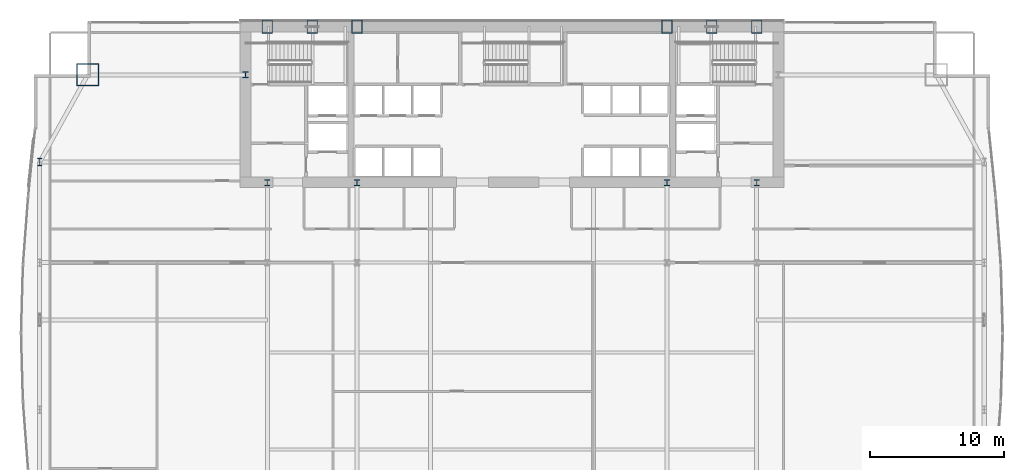
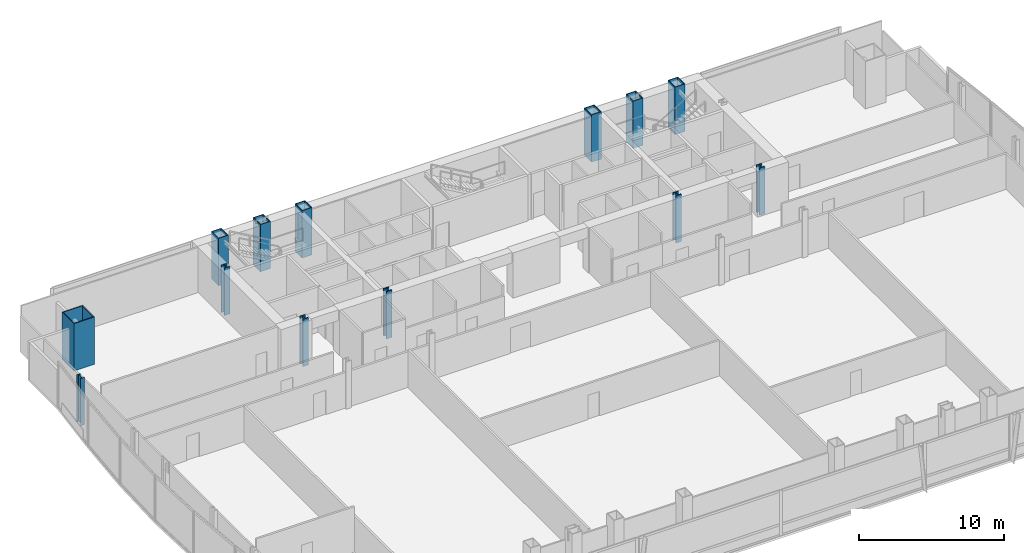
# One storey, part 3 of 33: 13 columns.
"""IFC4 building model written with IfcOpenShell, lengths in metres."""

from ifc_helpers import new_model, si_unit, direction, frame, origin, origin_2d, place, context, subcontext, project, spatial, hollow_rectangle, i_section, extrude, material, material_profile, profile_set, type_object, element, save


model = new_model("IFC4")

# Units and contexts
model_context = context("Model", 3, precision=1e-05, world=origin(), true_north=direction((0.0, 1.0)))
body_context = subcontext(model_context, "Body", "Model", "MODEL_VIEW")
ifc_project = project(units=[si_unit("LENGTHUNIT", "METRE"), si_unit("AREAUNIT", "SQUARE_METRE"), si_unit("VOLUMEUNIT", "CUBIC_METRE"), si_unit("PLANEANGLEUNIT", "RADIAN"), si_unit("MASSUNIT", "GRAM", prefix="KILO")], contexts=[model_context])

# Site, building, storey
site_placement = place(None, origin())
site = spatial("IfcSite", under=ifc_project, at=site_placement, CompositionType="ELEMENT")
building_placement = place(site_placement, origin())
building = spatial("IfcBuilding", under=site, at=building_placement, Name="Khoronbel Lancet Exchange", CompositionType="ELEMENT")
storey_placement = place(building_placement, frame((0.0, 0.0, 33.800048828125)))
storey = spatial("IfcBuildingStorey", under=building, at=storey_placement, Name="L07", CompositionType="ELEMENT", Elevation=33.800048828125)

# Columns
ifc_material_1 = material(Name="Steel S460", Category="steel")
ifc_material_profile_1 = material_profile(ifc_material_1, hollow_rectangle(XDim=0.800048828125, YDim=1.0, WallThickness=0.054931640625, at=origin_2d()), Name="BOX 1000x800x55")
ifc_profile_set_1 = profile_set([ifc_material_profile_1], Name="Steel S460")
column_type_1 = type_object("IfcColumnType", Name="COL-EC1", PredefinedType="COLUMN", material=ifc_profile_set_1)
for number, where, z_axis, x_axis, name in (
    (1, (18.22509765625, 53.280029296875, 0.0), (0.0, 0.0, 1.0), (1.0, 0.0, 0.0), "Structural column NC-W1 L07"),
    (2, (21.5625, 53.280029296875, 0.0), (0.0, 0.0, 1.0), (1.0, 0.0, 0.0), "Structural column NC-WM L07"),
    (3, (24.89990234375, 53.280029296875, 0.0), (0.0, 0.0, 1.0), (1.0, 0.0, 0.0), "Structural column NC-W2 L07"),
    (4, (48.0, 53.280029296875, 0.0), (0.0, 0.0, 1.0), (1.0, 0.0, 0.0), "Structural column NC-E1 L07"),
    (5, (51.33740234375, 53.280029296875, 0.0), (0.0, 0.0, 1.0), (1.0, 0.0, 0.0), "Structural column NC-EM L07"),
    (6, (54.675048828125, 53.280029296875, 0.0), (0.0, 0.0, 1.0), (1.0, 0.0, 0.0), "Structural column NC-E2 L07"),
):
    element("IfcColumn", number, at=place(storey_placement, frame(where, z_axis=z_axis, x_axis=x_axis)), inside=storey, type_object=column_type_1, Name=name, PredefinedType="COLUMN", context=body_context, shape_type="SweptSolid", body=[
        extrude(hollow_rectangle(XDim=0.800048828125, YDim=1.0, WallThickness=0.054931640625, at=origin_2d()), origin(), (0.0, 0.0, 1.0), 4.0),
    ])
ifc_material_profile_2 = material_profile(ifc_material_1, i_section(OverallWidth=0.424072265625, OverallDepth=0.47412109375, WebThickness=0.047607421875, FlangeThickness=0.076904296875, at=origin_2d()), Name="HD 400x634")
ifc_profile_set_2 = profile_set([ifc_material_profile_2], Name="Steel S460")
column_type_2 = type_object("IfcColumnType", Name="COL-IC1", PredefinedType="COLUMN", material=ifc_profile_set_2)
for number, where, z_axis, x_axis, name in (
    (7, (16.60009765625, 49.699951171875, 0.0), (0.0, 0.0, 1.0), (1.0, 0.0, 0.0), "Core-flank plumb transfer column CFW L07"),
    (8, (18.22509765625, 41.64990234375, 0.0), (0.0, 0.0, 1.0), (1.0, 0.0, 0.0), "Core-embedded steel column CTC1 L07"),
    (9, (24.89990234375, 41.64990234375, 0.0), (0.0, 0.0, 1.0), (1.0, 0.0, 0.0), "Core-embedded steel column CTC2 L07"),
    (10, (48.0, 41.64990234375, 0.0), (0.0, 0.0, 1.0), (1.0, 0.0, 0.0), "Core-embedded steel column CTC3 L07"),
    (11, (54.675048828125, 41.64990234375, 0.0), (0.0, 0.0, 1.0), (1.0, 0.0, 0.0), "Core-embedded steel column CTC4 L07"),
):
    element("IfcColumn", number, at=place(storey_placement, frame(where, z_axis=z_axis, x_axis=x_axis)), inside=storey, type_object=column_type_2, Name=name, PredefinedType="COLUMN", context=body_context, shape_type="SweptSolid", body=[
        extrude(i_section(OverallWidth=0.424072265625, OverallDepth=0.47412109375, WebThickness=0.047607421875, FlangeThickness=0.076904296875, at=origin_2d()), origin(), (0.0, 0.0, 1.0), 4.0),
    ])
ifc_material_2 = material(Name="Steel S355", Category="steel")
ifc_material_profile_3 = material_profile(ifc_material_2, i_section(OverallWidth=0.300048828125, OverallDepth=0.550048828125, WebThickness=0.014892578125, FlangeThickness=0.029052734375, at=origin_2d()), Name="HEB 550")
ifc_profile_set_3 = profile_set([ifc_material_profile_3], Name="Steel S355")
column_type_3 = type_object("IfcColumnType", Name="COL-LC1", PredefinedType="COLUMN", material=ifc_profile_set_3)
column_1_placement = place(storey_placement, frame((1.27001953125, 43.199951171875, 0.0), z_axis=(0.0, 0.0, 1.0), x_axis=(1.0, 0.0, 0.0)))
element("IfcColumn", 12, at=column_1_placement, inside=storey, type_object=column_type_3, Name="Structural column WC-4 L07", PredefinedType="COLUMN", context=body_context, shape_type="SweptSolid", body=[
    extrude(i_section(OverallWidth=0.300048828125, OverallDepth=0.550048828125, WebThickness=0.014892578125, FlangeThickness=0.029052734375, at=origin_2d()), origin(), (0.0, 0.0, 1.0), 4.0),
])
ifc_material_profile_4 = material_profile(ifc_material_1, hollow_rectangle(XDim=1.64990234375, YDim=1.64990234375, WallThickness=0.074951171875, at=origin_2d()), Name="BOX 1650x1650x75")
ifc_profile_set_4 = profile_set([ifc_material_profile_4], Name="Steel S460")
column_type_4 = type_object("IfcColumnType", Name="COL-MC2", PredefinedType="COLUMN", material=ifc_profile_set_4)
column_2_placement = place(storey_placement, frame((4.85009765625, 49.699951171875, 0.0), z_axis=(0.0, 0.0, 1.0), x_axis=(1.0, 0.0, 0.0)))
element("IfcColumn", 13, at=column_2_placement, inside=storey, type_object=column_type_4, Name="Structural column MC-NW L07", PredefinedType="COLUMN", context=body_context, shape_type="SweptSolid", body=[
    extrude(hollow_rectangle(XDim=1.64990234375, YDim=1.64990234375, WallThickness=0.074951171875, at=origin_2d()), origin(), (0.0, 0.0, 1.0), 4.0),
])

save(model, "model.ifc")
